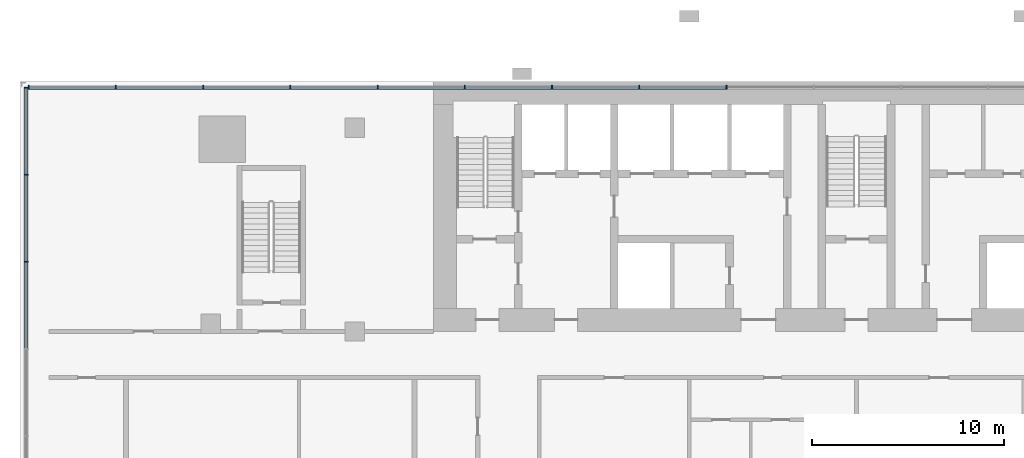
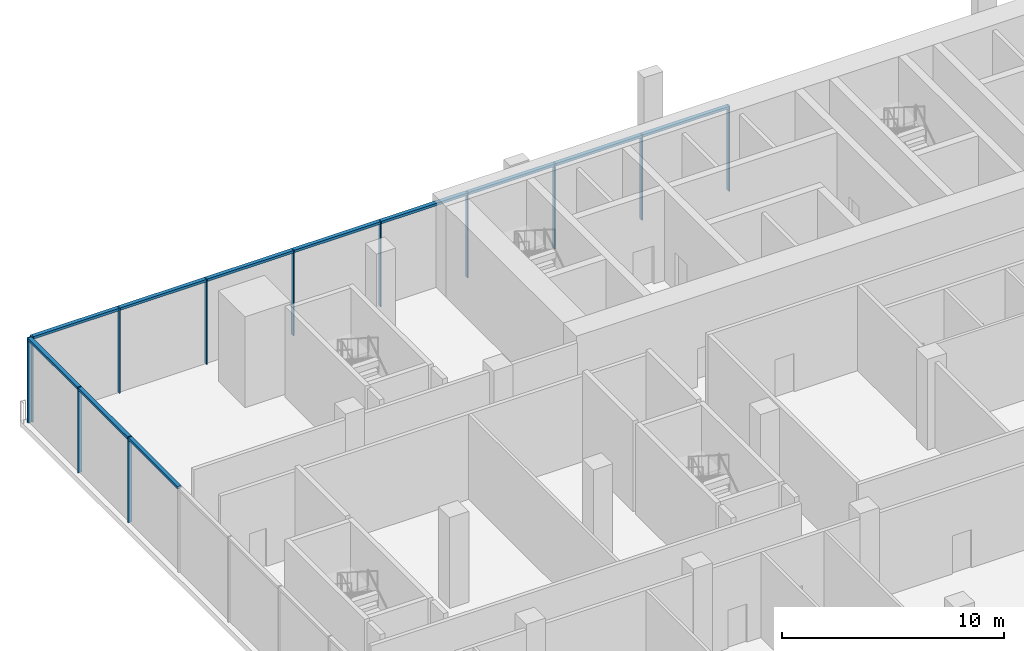
# One storey, part 5 of 20: 23 members, 2 elements without a shape of their own.
"""IFC4 building model written with IfcOpenShell, lengths in metres."""

from ifc_helpers import new_model, si_unit, direction, frame, origin, origin_2d, place, context, subcontext, project, spatial, rectangle, extrude, material, material_profile, profile_set, type_object, element, aggregate, save


model = new_model("IFC4")

# Units and contexts
model_context = context("Model", 3, precision=1e-05, world=origin(), true_north=direction((0.0, 1.0)))
body_context = subcontext(model_context, "Body", "Model", "MODEL_VIEW")
ifc_project = project(units=[si_unit("LENGTHUNIT", "METRE"), si_unit("AREAUNIT", "SQUARE_METRE"), si_unit("VOLUMEUNIT", "CUBIC_METRE"), si_unit("PLANEANGLEUNIT", "RADIAN"), si_unit("MASSUNIT", "GRAM", prefix="KILO")], contexts=[model_context])

# Site, building, storey
site_placement = place(None, origin())
site = spatial("IfcSite", under=ifc_project, at=site_placement, CompositionType="ELEMENT")
building_placement = place(site_placement, origin())
building = spatial("IfcBuilding", under=site, at=building_placement, Name="Bicima Exchange Tower", CompositionType="ELEMENT")
storey_placement = place(building_placement, frame((0.0, 0.0, 25.0)))
storey = spatial("IfcBuildingStorey", under=building, at=storey_placement, Name="L04", CompositionType="ELEMENT", Elevation=25.0)

# Curtain wall, members
ifc_material = material(Name="Anodised bronze aluminium", Category="aluminium")
curtain_wall_type = type_object("IfcCurtainWallType", Name="Lobby glazing", PredefinedType="NOTDEFINED", material=ifc_material)
curtain_wall_1_placement = place(storey_placement, origin())
curtain_wall_1 = element("IfcCurtainWall", 1, at=curtain_wall_1_placement, inside=storey, type_object=curtain_wall_type, Name="Podium glazing L04 north 1", PredefinedType="NOTDEFINED")
ifc_material_profile_1 = material_profile(ifc_material, rectangle(XDim=0.199951171875, YDim=0.06005859375, at=origin_2d()))
ifc_profile_set_1 = profile_set([ifc_material_profile_1], Name="Anodised bronze aluminium")
member_type_1 = type_object("IfcMemberType", Name="Lobby glazing mullion 60 x 200", PredefinedType="MULLION", material=ifc_profile_set_1)
member_1_placement = place(storey_placement, frame((-6.75830078125, -0.300048828125, 0.0), z_axis=(0.0, 0.0, 1.0), x_axis=(0.0, -1.0, 0.0)))
member_1 = element("IfcMember", 2, at=member_1_placement, type_object=member_type_1, Name="Lobby glazing mullion 12", PredefinedType="MULLION", context=body_context, shape_type="SweptSolid", body=[
    extrude(rectangle(XDim=0.199951171875, YDim=0.06005859375, at=origin_2d()), origin(), (0.0, 0.0, 1.0), 4.699951171875),
])
member_2_placement = place(storey_placement, frame((-11.29736328125, -0.300048828125, 0.0), z_axis=(0.0, 0.0, 1.0), x_axis=(0.0, -1.0, 0.0)))
member_2 = element("IfcMember", 3, at=member_2_placement, type_object=member_type_1, Name="Lobby glazing mullion 13", PredefinedType="MULLION", context=body_context, shape_type="SweptSolid", body=[
    extrude(rectangle(XDim=0.199951171875, YDim=0.06005859375, at=origin_2d()), origin(), (0.0, 0.0, 1.0), 4.699951171875),
])
member_3_placement = place(storey_placement, frame((-15.836181640625, -0.300048828125, 0.0), z_axis=(0.0, 0.0, 1.0), x_axis=(0.0, -1.0, 0.0)))
member_3 = element("IfcMember", 4, at=member_3_placement, type_object=member_type_1, Name="Lobby glazing mullion 14", PredefinedType="MULLION", context=body_context, shape_type="SweptSolid", body=[
    extrude(rectangle(XDim=0.199951171875, YDim=0.06005859375, at=origin_2d()), origin(), (0.0, 0.0, 1.0), 4.699951171875),
])
member_4_placement = place(storey_placement, frame((-20.375244140625, -0.300048828125, 0.0), z_axis=(0.0, 0.0, 1.0), x_axis=(0.0, -1.0, 0.0)))
member_4 = element("IfcMember", 5, at=member_4_placement, type_object=member_type_1, Name="Lobby glazing mullion 15", PredefinedType="MULLION", context=body_context, shape_type="SweptSolid", body=[
    extrude(rectangle(XDim=0.199951171875, YDim=0.06005859375, at=origin_2d()), origin(), (0.0, 0.0, 1.0), 4.699951171875),
])
member_5_placement = place(storey_placement, frame((-24.914306640625, -0.300048828125, 0.0), z_axis=(0.0, 0.0, 1.0), x_axis=(0.0, -1.0, 0.0)))
member_5 = element("IfcMember", 6, at=member_5_placement, type_object=member_type_1, Name="Lobby glazing mullion 16", PredefinedType="MULLION", context=body_context, shape_type="SweptSolid", body=[
    extrude(rectangle(XDim=0.199951171875, YDim=0.06005859375, at=origin_2d()), origin(), (0.0, 0.0, 1.0), 4.699951171875),
])
member_6_placement = place(storey_placement, frame((-29.453125, -0.300048828125, 0.0), z_axis=(0.0, 0.0, 1.0), x_axis=(0.0, -1.0, 0.0)))
member_6 = element("IfcMember", 7, at=member_6_placement, type_object=member_type_1, Name="Lobby glazing mullion 17", PredefinedType="MULLION", context=body_context, shape_type="SweptSolid", body=[
    extrude(rectangle(XDim=0.199951171875, YDim=0.06005859375, at=origin_2d()), origin(), (0.0, 0.0, 1.0), 4.699951171875),
])
member_7_placement = place(storey_placement, frame((-33.9921875, -0.300048828125, 0.0), z_axis=(0.0, 0.0, 1.0), x_axis=(0.0, -1.0, 0.0)))
member_7 = element("IfcMember", 8, at=member_7_placement, type_object=member_type_1, Name="Lobby glazing mullion 18", PredefinedType="MULLION", context=body_context, shape_type="SweptSolid", body=[
    extrude(rectangle(XDim=0.199951171875, YDim=0.06005859375, at=origin_2d()), origin(), (0.0, 0.0, 1.0), 4.699951171875),
])
member_8_placement = place(storey_placement, frame((-38.531005859375, -0.300048828125, 0.0), z_axis=(0.0, 0.0, 1.0), x_axis=(0.0, -1.0, 0.0)))
member_8 = element("IfcMember", 9, at=member_8_placement, type_object=member_type_1, Name="Lobby glazing mullion 19", PredefinedType="MULLION", context=body_context, shape_type="SweptSolid", body=[
    extrude(rectangle(XDim=0.199951171875, YDim=0.06005859375, at=origin_2d()), origin(), (0.0, 0.0, 1.0), 4.699951171875),
])
member_9_placement = place(storey_placement, frame((-43.070068359375, -0.300048828125, 0.0), z_axis=(0.0, 0.0, 1.0), x_axis=(0.0, -1.0, 0.0)))
member_9 = element("IfcMember", 10, at=member_9_placement, type_object=member_type_1, Name="Lobby glazing mullion 20", PredefinedType="MULLION", context=body_context, shape_type="SweptSolid", body=[
    extrude(rectangle(XDim=0.199951171875, YDim=0.06005859375, at=origin_2d()), origin(), (0.0, 0.0, 1.0), 4.699951171875),
])

curtain_wall_2_placement = place(storey_placement, origin())
curtain_wall_2 = element("IfcCurtainWall", 11, at=curtain_wall_2_placement, inside=storey, type_object=curtain_wall_type, Name="Podium glazing L04 west 1", PredefinedType="NOTDEFINED")
member_10_placement = place(storey_placement, frame((-43.199951171875, -0.330078125, 0.0), z_axis=(0.0, 0.0, 1.0), x_axis=(1.0, 0.0, 0.0)))
member_10 = element("IfcMember", 12, at=member_10_placement, type_object=member_type_1, Name="Lobby glazing mullion 1", PredefinedType="MULLION", context=body_context, shape_type="SweptSolid", body=[
    extrude(rectangle(XDim=0.199951171875, YDim=0.06005859375, at=origin_2d()), origin(), (0.0, 0.0, 1.0), 4.699951171875),
])
member_11_placement = place(storey_placement, frame((-43.199951171875, -4.85400390625, 0.0), z_axis=(0.0, 0.0, 1.0), x_axis=(1.0, 0.0, 0.0)))
member_11 = element("IfcMember", 13, at=member_11_placement, type_object=member_type_1, Name="Lobby glazing mullion 2", PredefinedType="MULLION", context=body_context, shape_type="SweptSolid", body=[
    extrude(rectangle(XDim=0.199951171875, YDim=0.06005859375, at=origin_2d()), origin(), (0.0, 0.0, 1.0), 4.699951171875),
])
member_12_placement = place(storey_placement, frame((-43.199951171875, -9.3779296875, 0.0), z_axis=(0.0, 0.0, 1.0), x_axis=(1.0, 0.0, 0.0)))
member_12 = element("IfcMember", 14, at=member_12_placement, type_object=member_type_1, Name="Lobby glazing mullion 3", PredefinedType="MULLION", context=body_context, shape_type="SweptSolid", body=[
    extrude(rectangle(XDim=0.199951171875, YDim=0.06005859375, at=origin_2d()), origin(), (0.0, 0.0, 1.0), 4.699951171875),
])

# Member
ifc_material_profile_2 = material_profile(ifc_material, rectangle(XDim=0.199951171875, YDim=0.139892578125, at=origin_2d()))
ifc_profile_set_2 = profile_set([ifc_material_profile_2], Name="Anodised bronze aluminium")
member_type_2 = type_object("IfcMemberType", Name="Lobby glazing transom 140 x 200", PredefinedType="USERDEFINED", material=ifc_profile_set_2)
member_13_placement = place(storey_placement, frame((-6.788330078125, -0.300048828125, 4.6298828125), z_axis=(-1.0, 0.0, 0.0), x_axis=(0.0, -1.0, 0.0)))
member_13 = element("IfcMember", 15, at=member_13_placement, type_object=member_type_2, Name="Lobby glazing transom 12.1", ObjectType="TRANSOM", PredefinedType="USERDEFINED", context=body_context, shape_type="SweptSolid", body=[
    extrude(rectangle(XDim=0.199951171875, YDim=0.139892578125, at=origin_2d()), origin(), (0.0, 0.0, 1.0), 4.47900390625),
])

member_14_placement = place(storey_placement, frame((-11.327392578125, -0.300048828125, 4.6298828125), z_axis=(-1.0, 0.0, 0.0), x_axis=(0.0, -1.0, 0.0)))
member_14 = element("IfcMember", 16, at=member_14_placement, type_object=member_type_2, Name="Lobby glazing transom 13.1", ObjectType="TRANSOM", PredefinedType="USERDEFINED", context=body_context, shape_type="SweptSolid", body=[
    extrude(rectangle(XDim=0.199951171875, YDim=0.139892578125, at=origin_2d()), origin(), (0.0, 0.0, 1.0), 4.47900390625),
])

member_15_placement = place(storey_placement, frame((-15.8662109375, -0.300048828125, 4.6298828125), z_axis=(-1.0, 0.0, 0.0), x_axis=(0.0, -1.0, 0.0)))
member_15 = element("IfcMember", 17, at=member_15_placement, type_object=member_type_2, Name="Lobby glazing transom 14.1", ObjectType="TRANSOM", PredefinedType="USERDEFINED", context=body_context, shape_type="SweptSolid", body=[
    extrude(rectangle(XDim=0.199951171875, YDim=0.139892578125, at=origin_2d()), origin(), (0.0, 0.0, 1.0), 4.47900390625),
])

member_16_placement = place(storey_placement, frame((-20.4052734375, -0.300048828125, 4.6298828125), z_axis=(-1.0, 0.0, 0.0), x_axis=(0.0, -1.0, 0.0)))
member_16 = element("IfcMember", 18, at=member_16_placement, type_object=member_type_2, Name="Lobby glazing transom 15.1", ObjectType="TRANSOM", PredefinedType="USERDEFINED", context=body_context, shape_type="SweptSolid", body=[
    extrude(rectangle(XDim=0.199951171875, YDim=0.139892578125, at=origin_2d()), origin(), (0.0, 0.0, 1.0), 4.47900390625),
])

member_17_placement = place(storey_placement, frame((-24.944091796875, -0.300048828125, 4.6298828125), z_axis=(-1.0, 0.0, 0.0), x_axis=(0.0, -1.0, 0.0)))
member_17 = element("IfcMember", 19, at=member_17_placement, type_object=member_type_2, Name="Lobby glazing transom 16.1", ObjectType="TRANSOM", PredefinedType="USERDEFINED", context=body_context, shape_type="SweptSolid", body=[
    extrude(rectangle(XDim=0.199951171875, YDim=0.139892578125, at=origin_2d()), origin(), (0.0, 0.0, 1.0), 4.47900390625),
])

member_18_placement = place(storey_placement, frame((-29.483154296875, -0.300048828125, 4.6298828125), z_axis=(-1.0, 0.0, 0.0), x_axis=(0.0, -1.0, 0.0)))
member_18 = element("IfcMember", 20, at=member_18_placement, type_object=member_type_2, Name="Lobby glazing transom 17.1", ObjectType="TRANSOM", PredefinedType="USERDEFINED", context=body_context, shape_type="SweptSolid", body=[
    extrude(rectangle(XDim=0.199951171875, YDim=0.139892578125, at=origin_2d()), origin(), (0.0, 0.0, 1.0), 4.47900390625),
])

member_19_placement = place(storey_placement, frame((-34.022216796875, -0.300048828125, 4.6298828125), z_axis=(-1.0, 0.0, 0.0), x_axis=(0.0, -1.0, 0.0)))
member_19 = element("IfcMember", 21, at=member_19_placement, type_object=member_type_2, Name="Lobby glazing transom 18.1", ObjectType="TRANSOM", PredefinedType="USERDEFINED", context=body_context, shape_type="SweptSolid", body=[
    extrude(rectangle(XDim=0.199951171875, YDim=0.139892578125, at=origin_2d()), origin(), (0.0, 0.0, 1.0), 4.47900390625),
])

member_20_placement = place(storey_placement, frame((-38.56103515625, -0.300048828125, 4.6298828125), z_axis=(-1.0, 0.0, 0.0), x_axis=(0.0, -1.0, 0.0)))
member_20 = element("IfcMember", 22, at=member_20_placement, type_object=member_type_2, Name="Lobby glazing transom 19.1", ObjectType="TRANSOM", PredefinedType="USERDEFINED", context=body_context, shape_type="SweptSolid", body=[
    extrude(rectangle(XDim=0.199951171875, YDim=0.139892578125, at=origin_2d()), origin(), (0.0, 0.0, 1.0), 4.47900390625),
])

aggregate(curtain_wall_1, [member_1, member_2, member_3, member_4, member_5, member_6, member_7, member_8, member_9, member_13, member_14, member_15, member_16, member_17, member_18, member_19, member_20])

member_21_placement = place(storey_placement, frame((-43.199951171875, -0.360107421875, 4.6298828125), z_axis=(0.0, -1.0, 0.0), x_axis=(1.0, 0.0, 0.0)))
member_21 = element("IfcMember", 23, at=member_21_placement, type_object=member_type_2, Name="Lobby glazing transom 1.1", ObjectType="TRANSOM", PredefinedType="USERDEFINED", context=body_context, shape_type="SweptSolid", body=[
    extrude(rectangle(XDim=0.199951171875, YDim=0.139892578125, at=origin_2d()), origin(), (0.0, 0.0, 1.0), 4.4638671875),
])

member_22_placement = place(storey_placement, frame((-43.199951171875, -4.884033203125, 4.6298828125), z_axis=(0.0, -1.0, 0.0), x_axis=(1.0, 0.0, 0.0)))
member_22 = element("IfcMember", 24, at=member_22_placement, type_object=member_type_2, Name="Lobby glazing transom 2.1", ObjectType="TRANSOM", PredefinedType="USERDEFINED", context=body_context, shape_type="SweptSolid", body=[
    extrude(rectangle(XDim=0.199951171875, YDim=0.139892578125, at=origin_2d()), origin(), (0.0, 0.0, 1.0), 4.4638671875),
])

member_23_placement = place(storey_placement, frame((-43.199951171875, -9.407958984375, 4.6298828125), z_axis=(0.0, -1.0, 0.0), x_axis=(1.0, 0.0, 0.0)))
member_23 = element("IfcMember", 25, at=member_23_placement, type_object=member_type_2, Name="Lobby glazing transom 3.1", ObjectType="TRANSOM", PredefinedType="USERDEFINED", context=body_context, shape_type="SweptSolid", body=[
    extrude(rectangle(XDim=0.199951171875, YDim=0.139892578125, at=origin_2d()), origin(), (0.0, 0.0, 1.0), 4.464111328125),
])

aggregate(curtain_wall_2, [member_10, member_11, member_12, member_21, member_22, member_23])

save(model, "model.ifc")
